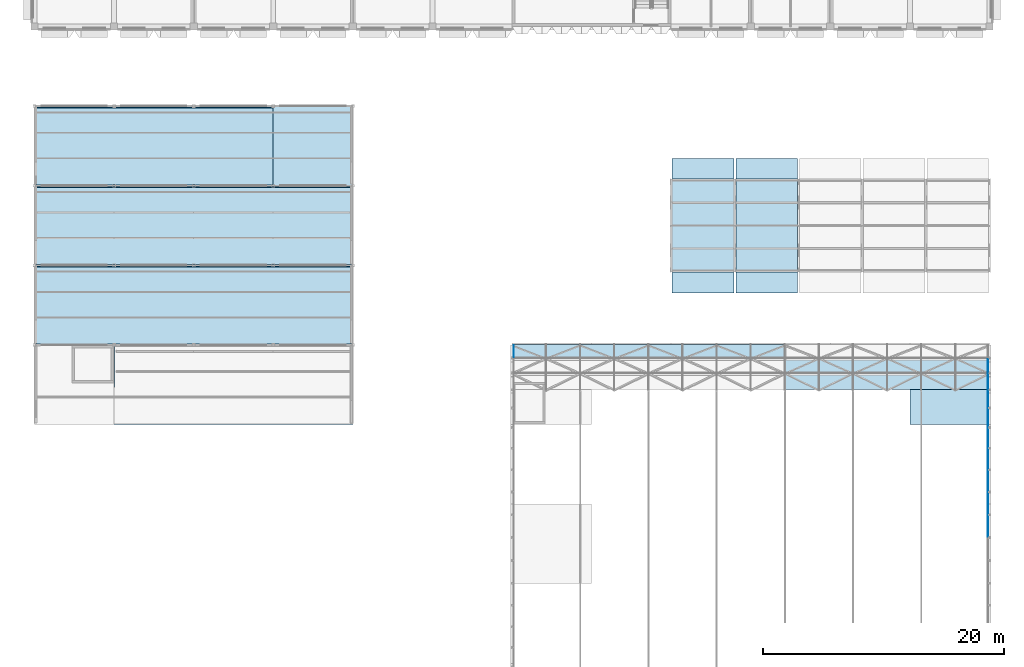
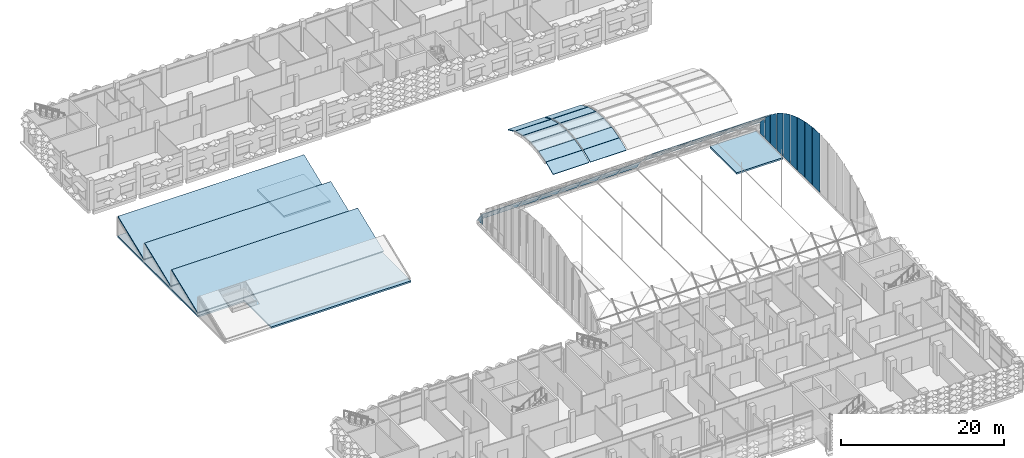
# One storey, part 46 of 109: 30 plates, 18 slabs.
"""IFC4 building model written with IfcOpenShell, lengths in metres."""

from ifc_helpers import new_model, si_unit, direction, frame, origin, place, context, subcontext, project, spatial, polyline, outline, extrude, material, layer, layer_set, type_object, element, save


model = new_model("IFC4")

# Units and contexts
model_context = context("Model", 3, precision=1e-05, world=origin(), true_north=direction((0.0, 1.0)))
body_context = subcontext(model_context, "Body", "Model", "MODEL_VIEW")
ifc_project = project(units=[si_unit("LENGTHUNIT", "METRE"), si_unit("AREAUNIT", "SQUARE_METRE"), si_unit("VOLUMEUNIT", "CUBIC_METRE"), si_unit("PLANEANGLEUNIT", "RADIAN"), si_unit("MASSUNIT", "GRAM", prefix="KILO")], contexts=[model_context])

# Site, building, storey
site_placement = place(None, origin())
site = spatial("IfcSite", under=ifc_project, at=site_placement, CompositionType="ELEMENT")
building_placement = place(site_placement, origin())
building = spatial("IfcBuilding", under=site, at=building_placement, Name="Lantern Court Research Institute", CompositionType="ELEMENT")
storey_placement = place(building_placement, frame((0.0, 0.0, 14.39990234375)))
storey = spatial("IfcBuildingStorey", under=building, at=storey_placement, Name="L03", CompositionType="ELEMENT", Elevation=14.39990234375)

# Slab
ifc_material_1 = material(Name="Concrete C35/45", Category="concrete")
ifc_layer_1 = layer(ifc_material_1, 0.25)
ifc_layer_set_1 = layer_set([ifc_layer_1], Name="Concrete C35/45")
slab_type_1 = type_object("IfcSlabType", Name="Clean room roof slab 250", PredefinedType="ROOF", material=ifc_layer_set_1)
slab_1_placement = place(storey_placement, frame((0.0, 0.0, -0.25)))
element("IfcSlab", 1, at=slab_1_placement, inside=storey, type_object=slab_type_1, Name="Clean room roof slab", PredefinedType="ROOF", context=body_context, shape_type="SweptSolid", body=[
    extrude(outline(polyline([(19.800048828125, 75.89990234375), (19.800048828125, 69.300048828125), (26.39990234375, 69.300048828125), (26.39990234375, 49.5), (6.60009765625, 49.5), (6.60009765625, 56.10009765625), (0.0, 56.10009765625), (0.0, 75.89990234375), (19.800048828125, 75.89990234375)])), origin(), (0.0, 0.0, 1.0), 0.25),
])

# Plates
ifc_material_2 = material(Name="Laminated low-emissivity glass", Category="glass")
ifc_layer_2 = layer(ifc_material_2, 0.035888671875)
ifc_layer_set_2 = layer_set([ifc_layer_2], Name="Laminated low-emissivity glass")
plate_type_1 = type_object("IfcPlateType", Name="Gable glazing panel 36", PredefinedType="SHEET", material=ifc_layer_set_2)
plate_1_placement = place(storey_placement, frame((39.742919921875, 55.063720703125, 0.400146484375), z_axis=(0.0, 0.0, 1.0), x_axis=(0.0, 1.0, 0.0)))
element("IfcPlate", 2, at=plate_1_placement, inside=storey, type_object=plate_type_1, Name="Gable glazing panel", PredefinedType="SHEET", context=body_context, shape_type="SweptSolid", body=[
    extrude(outline(polyline([(0.0, 0.0), (1.016357421875, 0.0), (1.016357421875, 0.0283203125), (0.0, 1.4697265625), (0.0, 0.0)])), frame((0.0, 0.01806640625, 0.0), z_axis=(0.0, -1.0, 0.0), x_axis=(1.0, 0.0, 0.0)), (0.0, 0.0, 1.0), 0.035888671875),
])
plate_2_placement = place(storey_placement, frame((79.056884765625, 40.18505859375, 0.400146484375), z_axis=(0.0, 0.0, 1.0), x_axis=(0.0, 1.0, 0.0)))
element("IfcPlate", 3, at=plate_2_placement, inside=storey, type_object=plate_type_1, Name="Gable glazing panel", PredefinedType="SHEET", context=body_context, shape_type="SweptSolid", body=[
    extrude(outline(polyline([(0.0, 0.0), (1.780029296875, 0.0), (1.780029296875, 8.707275390625), (0.0, 8.796875), (0.0, 0.0)])), frame((0.0, 0.01806640625, 0.0), z_axis=(0.0, -1.0, 0.0), x_axis=(1.0, 0.0, 0.0)), (0.0, 0.0, 1.0), 0.035888671875),
])
plate_3_placement = place(storey_placement, frame((79.056884765625, 42.0849609375, 0.400146484375), z_axis=(0.0, 0.0, 1.0), x_axis=(0.0, 1.0, 0.0)))
element("IfcPlate", 4, at=plate_3_placement, inside=storey, type_object=plate_type_1, Name="Gable glazing panel", PredefinedType="SHEET", context=body_context, shape_type="SweptSolid", body=[
    extrude(outline(polyline([(0.0, 0.0), (1.7607421875, 0.0), (1.7607421875, 8.427001953125), (0.0, 8.695068359375), (0.0, 0.0)])), frame((0.0, 0.01806640625, 0.0), z_axis=(0.0, -1.0, 0.0), x_axis=(1.0, 0.0, 0.0)), (0.0, 0.0, 1.0), 0.035888671875),
])
plate_4_placement = place(storey_placement, frame((79.056884765625, 43.9658203125, 0.400146484375), z_axis=(0.0, 0.0, 1.0), x_axis=(0.0, 1.0, 0.0)))
element("IfcPlate", 5, at=plate_4_placement, inside=storey, type_object=plate_type_1, Name="Gable glazing panel", PredefinedType="SHEET", context=body_context, shape_type="SweptSolid", body=[
    extrude(outline(polyline([(0.0, 0.0), (1.722412109375, 0.0), (1.722412109375, 7.95947265625), (0.0, 8.402587890625), (0.0, 0.0)])), frame((0.0, 0.01806640625, 0.0), z_axis=(0.0, -1.0, 0.0), x_axis=(1.0, 0.0, 0.0)), (0.0, 0.0, 1.0), 0.035888671875),
])
plate_5_placement = place(storey_placement, frame((79.056884765625, 45.808349609375, 0.400146484375), z_axis=(0.0, 0.0, 1.0), x_axis=(0.0, 1.0, 0.0)))
element("IfcPlate", 6, at=plate_5_placement, inside=storey, type_object=plate_type_1, Name="Gable glazing panel", PredefinedType="SHEET", context=body_context, shape_type="SweptSolid", body=[
    extrude(outline(polyline([(0.0, 0.0), (1.66552734375, 0.0), (1.66552734375, 7.309326171875), (0.0, 7.921875), (0.0, 0.0)])), frame((0.0, 0.01806640625, 0.0), z_axis=(0.0, -1.0, 0.0), x_axis=(1.0, 0.0, 0.0)), (0.0, 0.0, 1.0), 0.035888671875),
])
plate_6_placement = place(storey_placement, frame((79.056884765625, 47.59375, 0.400146484375), z_axis=(0.0, 0.0, 1.0), x_axis=(0.0, 1.0, 0.0)))
element("IfcPlate", 7, at=plate_6_placement, inside=storey, type_object=plate_type_1, Name="Gable glazing panel", PredefinedType="SHEET", context=body_context, shape_type="SweptSolid", body=[
    extrude(outline(polyline([(0.0, 0.0), (1.590576171875, 0.0), (1.59033203125, 6.483642578125), (0.0, 7.258056640625), (0.0, 0.0)])), frame((0.0, 0.01806640625, 0.0), z_axis=(0.0, -1.0, 0.0), x_axis=(1.0, 0.0, 0.0)), (0.0, 0.0, 1.0), 0.035888671875),
])
plate_7_placement = place(storey_placement, frame((79.056884765625, 49.30419921875, 0.400146484375), z_axis=(0.0, 0.0, 1.0), x_axis=(0.0, 1.0, 0.0)))
element("IfcPlate", 8, at=plate_7_placement, inside=storey, type_object=plate_type_1, Name="Gable glazing panel", PredefinedType="SHEET", context=body_context, shape_type="SweptSolid", body=[
    extrude(outline(polyline([(0.0, 0.0), (1.498046875, 0.0), (1.498046875, 5.490966796875), (0.0, 6.417236328125), (0.0, 0.0)])), frame((0.0, 0.01806640625, 0.0), z_axis=(0.0, -1.0, 0.0), x_axis=(1.0, 0.0, 0.0)), (0.0, 0.0, 1.0), 0.035888671875),
])
plate_8_placement = place(storey_placement, frame((79.056884765625, 50.92236328125, 0.400146484375), z_axis=(0.0, 0.0, 1.0), x_axis=(0.0, 1.0, 0.0)))
element("IfcPlate", 9, at=plate_8_placement, inside=storey, type_object=plate_type_1, Name="Gable glazing panel", PredefinedType="SHEET", context=body_context, shape_type="SweptSolid", body=[
    extrude(outline(polyline([(0.0, 0.0), (1.38916015625, 0.0), (1.38916015625, 4.341552734375), (0.0, 5.40771484375), (0.0, 0.0)])), frame((0.0, 0.01806640625, 0.0), z_axis=(0.0, -1.0, 0.0), x_axis=(1.0, 0.0, 0.0)), (0.0, 0.0, 1.0), 0.035888671875),
])
plate_9_placement = place(storey_placement, frame((79.056884765625, 52.431396484375, 0.400146484375), z_axis=(0.0, 0.0, 1.0), x_axis=(0.0, 1.0, 0.0)))
element("IfcPlate", 10, at=plate_9_placement, inside=storey, type_object=plate_type_1, Name="Gable glazing panel", PredefinedType="SHEET", context=body_context, shape_type="SweptSolid", body=[
    extrude(outline(polyline([(0.0, 0.0), (1.265380859375, 0.0), (1.26513671875, 3.0478515625), (0.0, 4.239013671875), (0.0, 0.0)])), frame((0.0, 0.01806640625, 0.0), z_axis=(0.0, -1.0, 0.0), x_axis=(1.0, 0.0, 0.0)), (0.0, 0.0, 1.0), 0.035888671875),
])
plate_10_placement = place(storey_placement, frame((79.056884765625, 53.816650390625, 0.400146484375), z_axis=(0.0, 0.0, 1.0), x_axis=(0.0, 1.0, 0.0)))
element("IfcPlate", 11, at=plate_10_placement, inside=storey, type_object=plate_type_1, Name="Gable glazing panel", PredefinedType="SHEET", context=body_context, shape_type="SweptSolid", body=[
    extrude(outline(polyline([(0.0, 0.0), (1.126953125, 0.0), (1.126953125, 1.623779296875), (0.0, 2.92236328125), (0.0, 0.0)])), frame((0.0, 0.01806640625, 0.0), z_axis=(0.0, -1.0, 0.0), x_axis=(1.0, 0.0, 0.0)), (0.0, 0.0, 1.0), 0.035888671875),
])
ifc_material_3 = material(Name="Laminated low-emissivity glass", Category="glass")
ifc_layer_3 = layer(ifc_material_3, 0.052001953125)
ifc_layer_set_3 = layer_set([ifc_layer_3], Name="Laminated low-emissivity glass")
plate_type_2 = type_object("IfcPlateType", Name="Gridshell roof glazing panel 52", PredefinedType="SHEET", material=ifc_layer_set_3)
plate_11_placement = place(storey_placement, frame((42.41845703125, 55.05615234375, 1.970703125), z_axis=(0.0, 0.817224984024, 0.576318770723), x_axis=(-1.0, 0.0, 0.0)))
element("IfcPlate", 12, at=plate_11_placement, inside=storey, type_object=plate_type_2, Name="Roof glazing panel", PredefinedType="SHEET", context=body_context, shape_type="SweptSolid", body=[
    extrude(outline(polyline([(0.0, 0.0), (2.808349609375, 0.0), (2.808349609375, -1.867744155330344), (0.0, -1.867744155330344), (0.0, 0.0)])), origin(), (0.0, 0.0, -1.0), 0.052001953125),
])
for number, where, z_axis, x_axis, name in (
    (13, (45.2470703125, 55.05615234375, 1.970703125), (0.0, 0.817224984024, 0.576318770723), (-1.0, 0.0, 0.0), "Roof glazing panel"),
    (14, (48.07568359375, 55.05615234375, 1.970703125), (0.0, 0.817224984024, 0.576318770723), (-1.0, 0.0, 0.0), "Roof glazing panel"),
    (15, (50.904296875, 55.05615234375, 1.970703125), (0.0, 0.817224984024, 0.576318770723), (-1.0, 0.0, 0.0), "Roof glazing panel"),
    (16, (53.73291015625, 55.05615234375, 1.970703125), (0.0, 0.817224984024, 0.576318770723), (-1.0, 0.0, 0.0), "Roof glazing panel"),
    (17, (56.5615234375, 55.05615234375, 1.970703125), (0.0, 0.817224984024, 0.576318770723), (-1.0, 0.0, 0.0), "Roof glazing panel"),
):
    element("IfcPlate", number, at=place(storey_placement, frame(where, z_axis=z_axis, x_axis=x_axis)), inside=storey, type_object=plate_type_2, Name=name, PredefinedType="SHEET", context=body_context, shape_type="SweptSolid", body=[
        extrude(outline(polyline([(0.0, 0.0), (2.80859375, 0.0), (2.80859375, -1.867744155330344), (0.0, -1.867744155330344), (0.0, 0.0)])), origin(), (0.0, 0.0, -1.0), 0.052001953125),
    ])
plate_12_placement = place(storey_placement, frame((59.389892578125, 55.05615234375, 1.970703125), z_axis=(0.0, 0.817224984024, 0.576318770723), x_axis=(-1.0, 0.0, 0.0)))
element("IfcPlate", 18, at=plate_12_placement, inside=storey, type_object=plate_type_2, Name="Roof glazing panel", PredefinedType="SHEET", context=body_context, shape_type="SweptSolid", body=[
    extrude(outline(polyline([(0.0, 0.0), (2.808349609375, 0.0), (2.808349609375, -1.867744155330344), (0.0, -1.867744155330344), (0.0, 0.0)])), origin(), (0.0, 0.0, -1.0), 0.052001953125),
])
plate_13_placement = place(storey_placement, frame((62.218505859375, 55.05615234375, 1.970703125), z_axis=(0.0, 0.817224984024, 0.576318770723), x_axis=(-1.0, 0.0, 0.0)))
element("IfcPlate", 19, at=plate_13_placement, inside=storey, type_object=plate_type_2, Name="Roof glazing panel", PredefinedType="SHEET", context=body_context, shape_type="SweptSolid", body=[
    extrude(outline(polyline([(0.0, 0.0), (2.80859375, 0.0), (2.80859375, -1.867744155330344), (0.0, -1.867744155330344), (0.0, 0.0)])), origin(), (0.0, 0.0, -1.0), 0.052001953125),
])
plate_14_placement = place(storey_placement, frame((65.047119140625, 52.417236328125, 4.72412109375), z_axis=(0.0, 0.685494672297, 0.728077643011), x_axis=(-1.0, 0.0, 0.0)))
element("IfcPlate", 20, at=plate_14_placement, inside=storey, type_object=plate_type_2, Name="Roof glazing panel", PredefinedType="SHEET", context=body_context, shape_type="SweptSolid", body=[
    extrude(outline(polyline([(0.0, 0.0), (2.80859375, 0.0), (2.80859375, -1.874786635020951), (0.0, -1.874786635020951), (0.0, 0.0)])), origin(), (0.0, 0.0, -1.0), 0.052001953125),
])
plate_15_placement = place(storey_placement, frame((65.047119140625, 53.805908203125, 3.414306640625), z_axis=(0.0, 0.755228474441, 0.655461632281), x_axis=(-1.0, 0.0, 0.0)))
element("IfcPlate", 21, at=plate_15_placement, inside=storey, type_object=plate_type_2, Name="Roof glazing panel", PredefinedType="SHEET", context=body_context, shape_type="SweptSolid", body=[
    extrude(outline(polyline([(0.0, 0.0), (2.80859375, 0.0), (2.80859375, -1.8720405906582398), (0.0, -1.8720405906582398), (0.0, 0.0)])), origin(), (0.0, 0.0, -1.0), 0.052001953125),
])
plate_16_placement = place(storey_placement, frame((67.875732421875, 52.417236328125, 4.72412109375), z_axis=(0.0, 0.685494672297, 0.728077643011), x_axis=(-1.0, 0.0, 0.0)))
element("IfcPlate", 22, at=plate_16_placement, inside=storey, type_object=plate_type_2, Name="Roof glazing panel", PredefinedType="SHEET", context=body_context, shape_type="SweptSolid", body=[
    extrude(outline(polyline([(0.0, 0.0), (2.80859375, 0.0), (2.80859375, -1.874786635020951), (0.0, -1.874786635020951), (0.0, 0.0)])), origin(), (0.0, 0.0, -1.0), 0.052001953125),
])
plate_17_placement = place(storey_placement, frame((67.875732421875, 53.805908203125, 3.414306640625), z_axis=(0.0, 0.755228474441, 0.655461632281), x_axis=(-1.0, 0.0, 0.0)))
element("IfcPlate", 23, at=plate_17_placement, inside=storey, type_object=plate_type_2, Name="Roof glazing panel", PredefinedType="SHEET", context=body_context, shape_type="SweptSolid", body=[
    extrude(outline(polyline([(0.0, 0.0), (2.80859375, 0.0), (2.80859375, -1.8720405906582398), (0.0, -1.8720405906582398), (0.0, 0.0)])), origin(), (0.0, 0.0, -1.0), 0.052001953125),
])
plate_18_placement = place(storey_placement, frame((70.704345703125, 52.417236328125, 4.72412109375), z_axis=(0.0, 0.685494672297, 0.728077643011), x_axis=(-1.0, 0.0, 0.0)))
element("IfcPlate", 24, at=plate_18_placement, inside=storey, type_object=plate_type_2, Name="Roof glazing panel", PredefinedType="SHEET", context=body_context, shape_type="SweptSolid", body=[
    extrude(outline(polyline([(0.0, 0.0), (2.80859375, 0.0), (2.80859375, -1.874786635020951), (0.0, -1.874786635020951), (0.0, 0.0)])), origin(), (0.0, 0.0, -1.0), 0.052001953125),
])
plate_19_placement = place(storey_placement, frame((70.704345703125, 53.805908203125, 3.414306640625), z_axis=(0.0, 0.755228474441, 0.655461632281), x_axis=(-1.0, 0.0, 0.0)))
element("IfcPlate", 25, at=plate_19_placement, inside=storey, type_object=plate_type_2, Name="Roof glazing panel", PredefinedType="SHEET", context=body_context, shape_type="SweptSolid", body=[
    extrude(outline(polyline([(0.0, 0.0), (2.80859375, 0.0), (2.80859375, -1.8720405906582398), (0.0, -1.8720405906582398), (0.0, 0.0)])), origin(), (0.0, 0.0, -1.0), 0.052001953125),
])
plate_20_placement = place(storey_placement, frame((73.532958984375, 52.417236328125, 4.72412109375), z_axis=(0.0, 0.685494672297, 0.728077643011), x_axis=(-1.0, 0.0, 0.0)))
element("IfcPlate", 26, at=plate_20_placement, inside=storey, type_object=plate_type_2, Name="Roof glazing panel", PredefinedType="SHEET", context=body_context, shape_type="SweptSolid", body=[
    extrude(outline(polyline([(0.0, 0.0), (2.80859375, 0.0), (2.80859375, -1.874786635020951), (0.0, -1.874786635020951), (0.0, 0.0)])), origin(), (0.0, 0.0, -1.0), 0.052001953125),
])
plate_21_placement = place(storey_placement, frame((73.532958984375, 53.805908203125, 3.414306640625), z_axis=(0.0, 0.755228474441, 0.655461632281), x_axis=(-1.0, 0.0, 0.0)))
element("IfcPlate", 27, at=plate_21_placement, inside=storey, type_object=plate_type_2, Name="Roof glazing panel", PredefinedType="SHEET", context=body_context, shape_type="SweptSolid", body=[
    extrude(outline(polyline([(0.0, 0.0), (2.80859375, 0.0), (2.80859375, -1.8720405906582398), (0.0, -1.8720405906582398), (0.0, 0.0)])), origin(), (0.0, 0.0, -1.0), 0.052001953125),
])
plate_22_placement = place(storey_placement, frame((76.361328125, 52.417236328125, 4.72412109375), z_axis=(0.0, 0.685494672297, 0.728077643011), x_axis=(-1.0, 0.0, 0.0)))
element("IfcPlate", 28, at=plate_22_placement, inside=storey, type_object=plate_type_2, Name="Roof glazing panel", PredefinedType="SHEET", context=body_context, shape_type="SweptSolid", body=[
    extrude(outline(polyline([(0.0, 0.0), (2.808349609375, 0.0), (2.808349609375, -1.8747866350209508), (0.0, -1.8747866350209508), (0.0, 0.0)])), origin(), (0.0, 0.0, -1.0), 0.052001953125),
])
plate_23_placement = place(storey_placement, frame((76.361328125, 53.805908203125, 3.414306640625), z_axis=(0.0, 0.755228474441, 0.655461632281), x_axis=(-1.0, 0.0, 0.0)))
element("IfcPlate", 29, at=plate_23_placement, inside=storey, type_object=plate_type_2, Name="Roof glazing panel", PredefinedType="SHEET", context=body_context, shape_type="SweptSolid", body=[
    extrude(outline(polyline([(0.0, 0.0), (2.808349609375, 0.0), (2.808349609375, -1.8720405906582398), (0.0, -1.8720405906582398), (0.0, 0.0)])), origin(), (0.0, 0.0, -1.0), 0.052001953125),
])
plate_24_placement = place(storey_placement, frame((79.18994140625, 52.417236328125, 4.72412109375), z_axis=(0.0, 0.685494672297, 0.728077643011), x_axis=(-1.0, 0.0, 0.0)))
element("IfcPlate", 30, at=plate_24_placement, inside=storey, type_object=plate_type_2, Name="Roof glazing panel", PredefinedType="SHEET", context=body_context, shape_type="SweptSolid", body=[
    extrude(outline(polyline([(0.0, 0.0), (2.80859375, 0.0), (2.80859375, -1.874786635020951), (0.0, -1.874786635020951), (0.0, 0.0)])), origin(), (0.0, 0.0, -1.0), 0.052001953125),
])
plate_25_placement = place(storey_placement, frame((79.18994140625, 53.805908203125, 3.414306640625), z_axis=(0.0, 0.755228474441, 0.655461632281), x_axis=(-1.0, 0.0, 0.0)))
element("IfcPlate", 31, at=plate_25_placement, inside=storey, type_object=plate_type_2, Name="Roof glazing panel", PredefinedType="SHEET", context=body_context, shape_type="SweptSolid", body=[
    extrude(outline(polyline([(0.0, 0.0), (2.80859375, 0.0), (2.80859375, -1.8720405906582398), (0.0, -1.8720405906582398), (0.0, 0.0)])), origin(), (0.0, 0.0, -1.0), 0.052001953125),
])

# Slabs
ifc_material_4 = material(Name="Concrete C35/45", Category="concrete")
ifc_layer_4 = layer(ifc_material_4, 0.25)
ifc_layer_set_4 = layer_set([ifc_layer_4], Name="Concrete C35/45")
slab_type_2 = type_object("IfcSlabType", Name="RC core roof slab 250", PredefinedType="ROOF", material=ifc_layer_set_4)
slab_2_placement = place(storey_placement, frame((0.0, 0.0, -0.25)))
element("IfcSlab", 32, at=slab_2_placement, inside=storey, type_object=slab_type_2, Name="Roof of core CC-B", PredefinedType="ROOF", context=body_context, shape_type="SweptSolid", body=[
    extrude(outline(polyline([(19.800048828125, 69.300048828125), (26.39990234375, 69.300048828125), (26.39990234375, 75.89990234375), (19.800048828125, 75.89990234375), (19.800048828125, 69.300048828125)])), origin(), (0.0, 0.0, 1.0), 0.25),
])
slab_3_placement = place(storey_placement, frame((0.0, 0.0, -0.25)))
element("IfcSlab", 33, at=slab_3_placement, inside=storey, type_object=slab_type_2, Name="Roof of core HC-B", PredefinedType="ROOF", context=body_context, shape_type="SweptSolid", body=[
    extrude(outline(polyline([(72.60009765625, 49.5), (79.199951171875, 49.5), (79.199951171875, 56.10009765625), (72.60009765625, 56.10009765625), (72.60009765625, 49.5)])), origin(), (0.0, 0.0, 1.0), 0.25),
])
ifc_material_5 = material(Name="Insulated metal sandwich roof panel")
ifc_layer_5 = layer(ifc_material_5, 0.14990234375)
ifc_layer_set_5 = layer_set([ifc_layer_5], Name="Insulated metal sandwich roof panel")
slab_type_3 = type_object("IfcSlabType", Name="Sawtooth roof deck 150", PredefinedType="ROOF", material=ifc_layer_set_5)
slab_4_placement = place(storey_placement, frame((0.0, 56.169189453125, 0.41015625), z_axis=(0.0, -0.371390676354, 0.928476690885), x_axis=(0.0, 0.928476690885, 0.371390676354)))
element("IfcSlab", 34, at=slab_4_placement, inside=storey, type_object=slab_type_3, Name="Sawtooth roof deck", PredefinedType="ROOF", context=body_context, shape_type="SweptSolid", body=[
    extrude(outline(polyline([(0.0, 0.0), (6.8931687216323745, 0.0), (6.8931687216323745, -26.39990234375), (0.0, -26.39990234375), (0.0, 0.0)])), origin(), (0.0, 0.0, -1.0), 0.14990234375),
])
slab_5_placement = place(storey_placement, frame((0.0, 62.769287109375, 0.41015625), z_axis=(0.0, -0.371402889746, 0.928471805435), x_axis=(0.0, 0.928471805435, 0.371402889746)))
element("IfcSlab", 35, at=slab_5_placement, inside=storey, type_object=slab_type_3, Name="Sawtooth roof deck", PredefinedType="ROOF", context=body_context, shape_type="SweptSolid", body=[
    extrude(outline(polyline([(0.0, 0.0), (6.892942043349122, 0.0), (6.892942043349122, -26.39990234375), (0.0, -26.39990234375), (0.0, 0.0)])), origin(), (0.0, 0.0, -1.0), 0.14990234375),
])
ifc_material_6 = material(Name="Insulated metal sandwich roof panel")
ifc_layer_6 = layer(ifc_material_6, 0.175048828125)
ifc_layer_set_6 = layer_set([ifc_layer_6], Name="Insulated metal sandwich roof panel")
slab_type_4 = type_object("IfcSlabType", Name="Sawtooth roof deck 175", PredefinedType="ROOF", material=ifc_layer_set_6)
slab_6_placement = place(storey_placement, frame((0.0, 69.360107421875, 0.433349609375), z_axis=(0.0, -0.371402889746, 0.928471805435), x_axis=(0.0, 0.928471805435, 0.371402889746)))
element("IfcSlab", 36, at=slab_6_placement, inside=storey, type_object=slab_type_4, Name="Sawtooth roof deck", PredefinedType="ROOF", context=body_context, shape_type="SweptSolid", body=[
    extrude(outline(polyline([(0.0, 0.0), (6.892942043349122, 0.0), (6.892942043349122, -26.39990234375), (0.0, -26.39990234375), (0.0, 0.0)])), origin(), (0.0, 0.0, -1.0), 0.175048828125),
])
ifc_material_7 = material(Name="Cross-laminated timber C24", Category="wood")
ifc_layer_7 = layer(ifc_material_7, 0.10009765625)
ifc_layer_set_7 = layer_set([ifc_layer_7], Name="Cross-laminated timber C24")
slab_type_5 = type_object("IfcSlabType", Name="Timber roof deck 100", PredefinedType="ROOF", material=ifc_layer_set_7)
slab_7_placement = place(storey_placement, frame((52.8798828125, 62.201904296875, 0.832763671875), z_axis=(0.0, -0.250833423539, 0.968030264835), x_axis=(1.0, 0.0, 0.0)))
element("IfcSlab", 37, at=slab_7_placement, inside=storey, type_object=slab_type_5, Name="Timber roof deck panel", PredefinedType="ROOF", context=body_context, shape_type="SweptSolid", body=[
    extrude(outline(polyline([(0.0, 0.0), (5.1201171875, 0.0), (5.1201171875, 1.9086761200752127), (0.0, 1.9086761200752127), (0.0, 0.0)])), origin(), (0.0, 0.0, -1.0), 0.10009765625),
])
for number, where, z_axis, x_axis, name in (
    (38, (52.8798828125, 64.081787109375, 1.317138671875), (0.0, -0.08429454948, 0.996440880799), (1.0, 0.0, 0.0), "Timber roof deck panel"),
    (39, (52.8798828125, 66.016357421875, 1.47802734375), (0.0, 0.08429454948, 0.996440880799), (1.0, 0.0, 0.0), "Timber roof deck panel"),
):
    element("IfcSlab", number, at=place(storey_placement, frame(where, z_axis=z_axis, x_axis=x_axis)), inside=storey, type_object=slab_type_5, Name=name, PredefinedType="ROOF", context=body_context, shape_type="SweptSolid", body=[
        extrude(outline(polyline([(0.0, 0.0), (5.1201171875, 0.0), (5.1201171875, 1.9086485765462389), (0.0, 1.9086485765462389), (0.0, 0.0)])), origin(), (0.0, 0.0, -1.0), 0.10009765625),
    ])
for number, where, z_axis, x_axis, name in (
    (40, (52.8798828125, 67.950439453125, 1.3115234375), (0.0, 0.250833423539, 0.968030264835), (1.0, 0.0, 0.0), "Timber roof deck panel"),
    (41, (58.159912109375, 62.201904296875, 0.832763671875), (0.0, -0.250833423539, 0.968030264835), (1.0, 0.0, 0.0), "Timber roof deck panel"),
):
    element("IfcSlab", number, at=place(storey_placement, frame(where, z_axis=z_axis, x_axis=x_axis)), inside=storey, type_object=slab_type_5, Name=name, PredefinedType="ROOF", context=body_context, shape_type="SweptSolid", body=[
        extrude(outline(polyline([(0.0, 0.0), (5.1201171875, 0.0), (5.1201171875, 1.9086761200752127), (0.0, 1.9086761200752127), (0.0, 0.0)])), origin(), (0.0, 0.0, -1.0), 0.10009765625),
    ])
for number, where, z_axis, x_axis, name in (
    (42, (58.159912109375, 64.081787109375, 1.317138671875), (0.0, -0.08429454948, 0.996440880799), (1.0, 0.0, 0.0), "Timber roof deck panel"),
    (43, (58.159912109375, 66.016357421875, 1.47802734375), (0.0, 0.08429454948, 0.996440880799), (1.0, 0.0, 0.0), "Timber roof deck panel"),
):
    element("IfcSlab", number, at=place(storey_placement, frame(where, z_axis=z_axis, x_axis=x_axis)), inside=storey, type_object=slab_type_5, Name=name, PredefinedType="ROOF", context=body_context, shape_type="SweptSolid", body=[
        extrude(outline(polyline([(0.0, 0.0), (5.1201171875, 0.0), (5.1201171875, 1.9086485765462389), (0.0, 1.9086485765462389), (0.0, 0.0)])), origin(), (0.0, 0.0, -1.0), 0.10009765625),
    ])
slab_8_placement = place(storey_placement, frame((58.159912109375, 67.950439453125, 1.3115234375), z_axis=(0.0, 0.250833423539, 0.968030264835), x_axis=(1.0, 0.0, 0.0)))
element("IfcSlab", 44, at=slab_8_placement, inside=storey, type_object=slab_type_5, Name="Timber roof deck panel", PredefinedType="ROOF", context=body_context, shape_type="SweptSolid", body=[
    extrude(outline(polyline([(0.0, 0.0), (5.1201171875, 0.0), (5.1201171875, 1.9086761200752127), (0.0, 1.9086761200752127), (0.0, 0.0)])), origin(), (0.0, 0.0, -1.0), 0.10009765625),
])
ifc_material_8 = material(Name="Cross-laminated timber C24", Category="wood")
ifc_layer_8 = layer(ifc_material_8, 0.1201171875)
ifc_layer_set_8 = layer_set([ifc_layer_8], Name="Cross-laminated timber C24")
slab_type_6 = type_object("IfcSlabType", Name="Timber roof deck 120", PredefinedType="ROOF", material=ifc_layer_set_8)
for number, where, z_axis, x_axis, name in (
    (45, (52.8798828125, 60.422119140625, 0.057373046875), (0.0, -0.410098722232, 0.912041138339), (1.0, 0.0, 0.0), "Timber roof deck panel"),
    (46, (52.8798828125, 69.837158203125, 0.840087890625), (0.0, 0.410098722232, 0.912041138339), (1.0, 0.0, 0.0), "Timber roof deck panel"),
    (47, (58.159912109375, 60.422119140625, 0.057373046875), (0.0, -0.410098722232, 0.912041138339), (1.0, 0.0, 0.0), "Timber roof deck panel"),
    (48, (58.159912109375, 69.837158203125, 0.840087890625), (0.0, 0.410098722232, 0.912041138339), (1.0, 0.0, 0.0), "Timber roof deck panel"),
):
    element("IfcSlab", number, at=place(storey_placement, frame(where, z_axis=z_axis, x_axis=x_axis)), inside=storey, type_object=slab_type_6, Name=name, PredefinedType="ROOF", context=body_context, shape_type="SweptSolid", body=[
        extrude(outline(polyline([(0.0, 0.0), (5.1201171875, 0.0), (5.1201171875, 1.9086010302335696), (0.0, 1.9086010302335696), (0.0, 0.0)])), origin(), (0.0, 0.0, -1.0), 0.1201171875),
    ])

save(model, "model.ifc")
